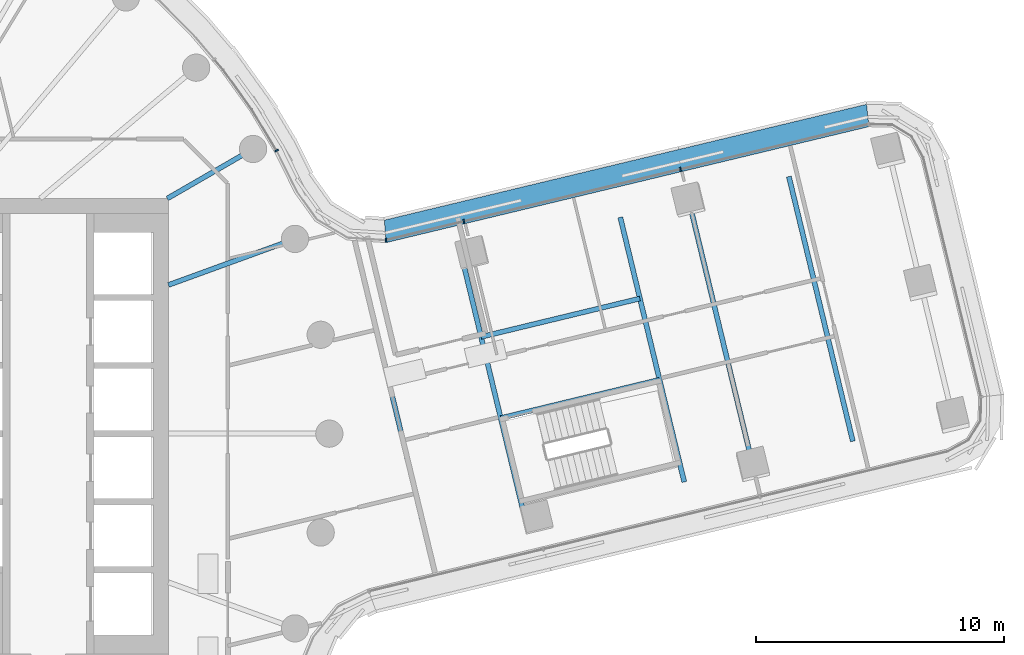
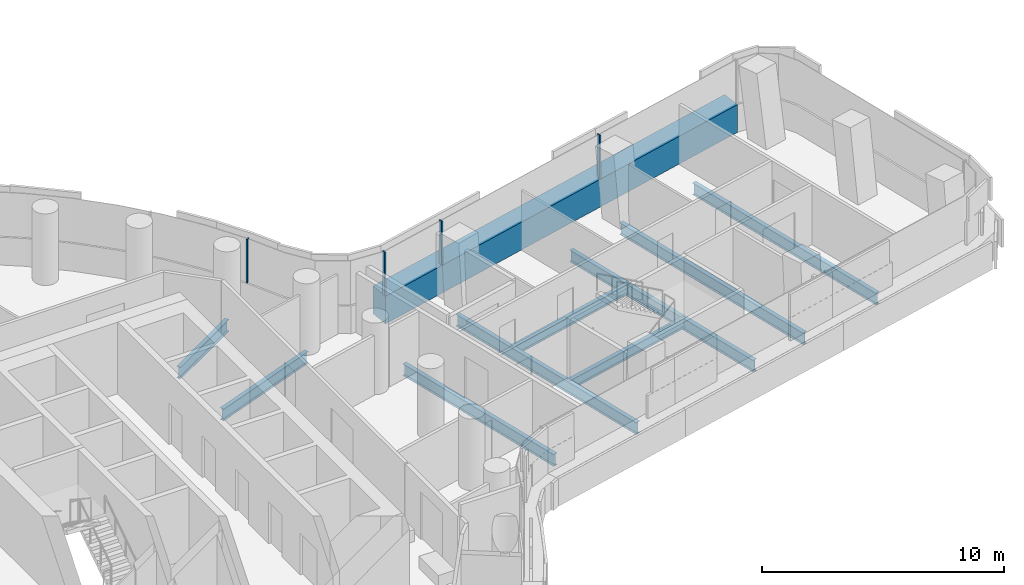
# One storey, part 11 of 33: 9 beams, 5 members, 2 elements without a shape of their own.
"""IFC4 building model written with IfcOpenShell, lengths in metres."""

from ifc_helpers import new_model, si_unit, direction, frame, origin, origin_2d, place, context, subcontext, project, spatial, polyline, rectangle, i_section, outline, extrude, material, layer, layer_set, material_profile, profile_set, type_object, element, aggregate, save


model = new_model("IFC4")

# Units and contexts
model_context = context("Model", 3, precision=1e-05, world=origin(), true_north=direction((0.0, 1.0)))
body_context = subcontext(model_context, "Body", "Model", "MODEL_VIEW")
ifc_project = project(units=[si_unit("LENGTHUNIT", "METRE"), si_unit("AREAUNIT", "SQUARE_METRE"), si_unit("VOLUMEUNIT", "CUBIC_METRE"), si_unit("PLANEANGLEUNIT", "RADIAN"), si_unit("MASSUNIT", "GRAM", prefix="KILO")], contexts=[model_context])

# Site, building, storey
site_placement = place(None, origin())
site = spatial("IfcSite", under=ifc_project, at=site_placement, CompositionType="ELEMENT")
building_placement = place(site_placement, origin())
building = spatial("IfcBuilding", under=site, at=building_placement, Name="Tamarind Cross Interchange Tower", CompositionType="ELEMENT")
storey_placement = place(building_placement, frame((0.0, 0.0, 83.5)))
storey = spatial("IfcBuildingStorey", under=building, at=storey_placement, Name="L19", CompositionType="ELEMENT", Elevation=83.5)

# Beams
ifc_material_1 = material(Name="Steel Q355B", Category="steel")
ifc_material_profile_1 = material_profile(ifc_material_1, i_section(OverallWidth=0.198974609375, OverallDepth=0.49609375, WebThickness=0.009033203125, FlangeThickness=0.013916015625, FilletRadius=0.012939453125, at=origin_2d()), Name="HN 496x199x9x14")
ifc_profile_set_1 = profile_set([ifc_material_profile_1], Name="Steel Q355B")
beam_type_1 = type_object("IfcBeamType", Name="Composite beam HN 496x199x9x14 Q355B", PredefinedType="BEAM", material=ifc_profile_set_1)
beam_1_placement = place(storey_placement, frame((29.924072265625, 0.62841796875, -0.387939453125), z_axis=(0.972029231747, 0.234859900002, 0.0), x_axis=(-0.234859900002, 0.972029231747, 0.0)))
element("IfcBeam", 1, at=beam_1_placement, inside=storey, type_object=beam_type_1, Name="Beam E-tr1", PredefinedType="BEAM", context=body_context, shape_type="SweptSolid", body=[
    extrude(i_section(OverallWidth=0.198974609375, OverallDepth=0.49609375, WebThickness=0.009033203125, FlangeThickness=0.013916015625, FilletRadius=0.012939453125, at=origin_2d()), origin(), (0.0, 0.0, 1.0), 6.599853515625),
])
beam_2_placement = place(storey_placement, frame((29.13134765625, 3.9091796875, -0.387939453125), z_axis=(0.972039715767, 0.234816504897, 0.0), x_axis=(-0.234816504897, 0.972039715767, 0.0)))
element("IfcBeam", 2, at=beam_2_placement, inside=storey, type_object=beam_type_1, Name="Beam E-stripp", PredefinedType="BEAM", context=body_context, shape_type="SweptSolid", body=[
    extrude(i_section(OverallWidth=0.198974609375, OverallDepth=0.49609375, WebThickness=0.009033203125, FlangeThickness=0.013916015625, FilletRadius=0.012939453125, at=origin_2d()), origin(), (0.0, 0.0, 1.0), 6.60009765625),
])
ifc_material_profile_2 = material_profile(ifc_material_1, i_section(OverallWidth=0.198974609375, OverallDepth=0.595947265625, WebThickness=0.010009765625, FlangeThickness=0.014892578125, FilletRadius=0.012939453125, at=origin_2d()), Name="HN 596x199x10x15")
ifc_profile_set_2 = profile_set([ifc_material_profile_2], Name="Steel Q355B")
beam_type_2 = type_object("IfcBeamType", Name="Composite beam HN 596x199x10x15 Q355B", PredefinedType="BEAM", material=ifc_profile_set_2)
beam_3_placement = place(storey_placement, frame((21.613037109375, 7.866455078125, -0.43798828125), z_axis=(-0.939701685589, -0.341995236956, 0.0), x_axis=(0.341995236956, -0.939701685589, 0.0)))
element("IfcBeam", 3, at=beam_3_placement, inside=storey, type_object=beam_type_2, Name="Beam HH02", PredefinedType="BEAM", context=body_context, shape_type="SweptSolid", body=[
    extrude(i_section(OverallWidth=0.198974609375, OverallDepth=0.595947265625, WebThickness=0.010009765625, FlangeThickness=0.014892578125, FilletRadius=0.012939453125, at=origin_2d()), origin(), (0.0, 0.0, 1.0), 5.441162109375),
])
beam_4_placement = place(storey_placement, frame((19.918701171875, 11.5, -0.43798828125), z_axis=(-0.866026010844, -0.49999894854, 0.0), x_axis=(0.49999894854, -0.866026010844, 0.0)))
element("IfcBeam", 4, at=beam_4_placement, inside=storey, type_object=beam_type_2, Name="Beam HH03", PredefinedType="BEAM", context=body_context, shape_type="SweptSolid", body=[
    extrude(i_section(OverallWidth=0.198974609375, OverallDepth=0.595947265625, WebThickness=0.010009765625, FlangeThickness=0.014892578125, FilletRadius=0.012939453125, at=origin_2d()), origin(), (0.0, 0.0, 1.0), 4.0),
])
ifc_material_profile_3 = material_profile(ifc_material_1, i_section(OverallWidth=0.199951171875, OverallDepth=0.60009765625, WebThickness=0.010986328125, FlangeThickness=0.01708984375, FilletRadius=0.012939453125, at=origin_2d()), Name="HN 600x200x11x17")
ifc_profile_set_3 = profile_set([ifc_material_profile_3], Name="Steel Q355B")
beam_type_3 = type_object("IfcBeamType", Name="Composite beam HN 600x200x11x17 Q355B", PredefinedType="BEAM", material=ifc_profile_set_3)
beam_5_placement = place(storey_placement, frame((30.904052734375, -3.42822265625, -0.43994140625), z_axis=(-0.234829742669, 0.972036517811, 0.0), x_axis=(-0.972036517811, -0.234829742669, 0.0)))
element("IfcBeam", 5, at=beam_5_placement, inside=storey, type_object=beam_type_3, Name="Beam E-x298", PredefinedType="BEAM", context=body_context, shape_type="SweptSolid", body=[
    extrude(i_section(OverallWidth=0.199951171875, OverallDepth=0.60009765625, WebThickness=0.010986328125, FlangeThickness=0.01708984375, FilletRadius=0.012939453125, at=origin_2d()), origin(), (0.0, 0.0, 1.0), 10.80517578125),
])
for number, where, z_axis, x_axis, name in (
    (6, (37.33740234375, -1.95263671875, -0.43994140625), (-0.234840852911, 0.972033833672, 0.0), (-0.972033833672, -0.234840852911, 0.0), "Beam E-x364"),
    (7, (40.10791015625, -1.283447265625, -0.43994140625), (-0.234861823291, 0.972028767044, 0.0), (-0.972028767044, -0.234861823291, 0.0), "Beam E-x393"),
):
    element("IfcBeam", number, at=place(storey_placement, frame(where, z_axis=z_axis, x_axis=x_axis)), inside=storey, type_object=beam_type_3, Name=name, PredefinedType="BEAM", context=body_context, shape_type="SweptSolid", body=[
        extrude(i_section(OverallWidth=0.199951171875, OverallDepth=0.60009765625, WebThickness=0.010986328125, FlangeThickness=0.01708984375, FilletRadius=0.012939453125, at=origin_2d()), origin(), (0.0, 0.0, 1.0), 11.0),
    ])
beam_6_placement = place(storey_placement, frame((26.805419921875, -3.709228515625, -0.43994140625), z_axis=(-0.234834793136, 0.972035297678, 0.0), x_axis=(-0.972035297678, -0.234834793136, 0.0)))
element("IfcBeam", 8, at=beam_6_placement, inside=storey, type_object=beam_type_3, Name="Beam E-x258", PredefinedType="BEAM", context=body_context, shape_type="SweptSolid", body=[
    extrude(i_section(OverallWidth=0.199951171875, OverallDepth=0.60009765625, WebThickness=0.010986328125, FlangeThickness=0.01708984375, FilletRadius=0.012939453125, at=origin_2d()), origin(), (0.0, 0.0, 1.0), 9.050048828125),
])
beam_7_placement = place(storey_placement, frame((44.147705078125, -0.307373046875, -0.43994140625), z_axis=(-0.234840852911, 0.972033833672, 0.0), x_axis=(-0.972033833672, -0.234840852911, 0.0)))
element("IfcBeam", 9, at=beam_7_placement, inside=storey, type_object=beam_type_3, Name="Beam E-x435", PredefinedType="BEAM", context=body_context, shape_type="SweptSolid", body=[
    extrude(i_section(OverallWidth=0.199951171875, OverallDepth=0.60009765625, WebThickness=0.010986328125, FlangeThickness=0.01708984375, FilletRadius=0.012939453125, at=origin_2d()), origin(), (0.0, 0.0, 1.0), 11.0),
])

# Curtain wall, members
ifc_material_2 = material(Name="Aluminium 6063-T6", Category="aluminium")
ifc_layer_1 = layer(ifc_material_2, 0.159912109375)
ifc_layer_set_1 = layer_set([ifc_layer_1], Name="Aluminium 6063-T6")
curtain_wall_type_1 = type_object("IfcCurtainWallType", Name="Office curtain wall, 9.0 m bays", PredefinedType="NOTDEFINED", material=ifc_layer_set_1)
curtain_wall_1_placement = place(storey_placement, origin())
curtain_wall_1 = element("IfcCurtainWall", 10, at=curtain_wall_1_placement, inside=storey, type_object=curtain_wall_type_1, Name="CWS-L19-13", PredefinedType="NOTDEFINED")
ifc_material_3 = material(Name="Aluminium and insulated spandrel panel", Category="aluminium")
member_type_1 = type_object("IfcMemberType", Name="Floor-edge blade transom", PredefinedType="USERDEFINED", material=ifc_material_3)
member_1_placement = place(storey_placement, origin())
member_1 = element("IfcMember", 11, at=member_1_placement, type_object=member_type_1, Name="CWT-L19-13", ObjectType="TRANSOM", PredefinedType="USERDEFINED", context=body_context, shape_type="SweptSolid", body=[
    extrude(outline(polyline([(44.798095703125, 12.40087890625), (25.29736328125, 7.717041015625), (25.22021484375, 8.6240234375), (44.702392578125, 13.303466796875), (44.798095703125, 12.40087890625)])), origin(), (0.0, 0.0, 1.0), 1.39990234375),
])
ifc_material_profile_4 = material_profile(ifc_material_2, rectangle(XDim=0.06005859375, YDim=0.159912109375, at=origin_2d()), Name="Mullion CW1")
ifc_profile_set_4 = profile_set([ifc_material_profile_4], Name="Aluminium 6063-T6")
member_type_2 = type_object("IfcMemberType", Name="Mullion CW1", PredefinedType="MULLION", material=ifc_profile_set_4)
member_2_placement = place(storey_placement, frame((37.189453125, 10.67626953125, 1.39990234375), z_axis=(0.0, 0.0, 1.0), x_axis=(-0.972346190764, -0.233544182771, 0.0)))
member_2 = element("IfcMember", 12, at=member_2_placement, type_object=member_type_2, Name="CWM-L19-13-01", PredefinedType="MULLION", context=body_context, shape_type="SweptSolid", body=[
    extrude(rectangle(XDim=0.06005859375, YDim=0.159912109375, at=origin_2d()), origin(), (0.0, 0.0, 1.0), 2.210205078125),
])
member_3_placement = place(storey_placement, frame((28.4365234375, 8.573974609375, 1.39990234375), z_axis=(0.0, 0.0, 1.0), x_axis=(-0.972346190764, -0.233544182771, 0.0)))
member_3 = element("IfcMember", 13, at=member_3_placement, type_object=member_type_2, Name="CWM-L19-13-02", PredefinedType="MULLION", context=body_context, shape_type="SweptSolid", body=[
    extrude(rectangle(XDim=0.06005859375, YDim=0.159912109375, at=origin_2d()), origin(), (0.0, 0.0, 1.0), 2.210205078125),
])
aggregate(curtain_wall_1, [member_2, member_3, member_1])

ifc_layer_2 = layer(ifc_material_2, 0.14990234375)
ifc_layer_set_2 = layer_set([ifc_layer_2], Name="Aluminium 6063-T6")
curtain_wall_type_2 = type_object("IfcCurtainWallType", Name="Winter garden and crown curtain wall", PredefinedType="NOTDEFINED", material=ifc_layer_set_2)
curtain_wall_2_placement = place(storey_placement, origin())
curtain_wall_2 = element("IfcCurtainWall", 14, at=curtain_wall_2_placement, inside=storey, type_object=curtain_wall_type_2, Name="CWS-L19-14", PredefinedType="NOTDEFINED")
ifc_material_profile_5 = material_profile(ifc_material_2, rectangle(XDim=0.06005859375, YDim=0.14990234375, at=origin_2d()), Name="Mullion CW6")
ifc_profile_set_5 = profile_set([ifc_material_profile_5], Name="Aluminium 6063-T6")
member_type_3 = type_object("IfcMemberType", Name="Mullion CW6", PredefinedType="MULLION", material=ifc_profile_set_5)
member_4_placement = place(storey_placement, frame((25.288818359375, 7.81787109375, 1.39990234375), z_axis=(0.0, 0.0, 1.0), x_axis=(-0.996410976915, -0.084647298143, 0.0)))
member_4 = element("IfcMember", 15, at=member_4_placement, type_object=member_type_3, Name="CWM-L19-14-00", PredefinedType="MULLION", context=body_context, shape_type="SweptSolid", body=[
    extrude(rectangle(XDim=0.06005859375, YDim=0.14990234375, at=origin_2d()), origin(), (0.0, 0.0, 1.0), 2.210205078125),
])
member_5_placement = place(storey_placement, frame((20.8671875, 11.434814453125, 1.39990234375), z_axis=(0.0, 0.0, 1.0), x_axis=(-0.515577308909, 0.856843065292, 0.0)))
member_5 = element("IfcMember", 16, at=member_5_placement, type_object=member_type_3, Name="CWM-L19-14-01", PredefinedType="MULLION", context=body_context, shape_type="SweptSolid", body=[
    extrude(rectangle(XDim=0.06005859375, YDim=0.14990234375, at=origin_2d()), origin(), (0.0, 0.0, 1.0), 2.210205078125),
])
aggregate(curtain_wall_2, [member_4, member_5])

save(model, "model.ifc")
